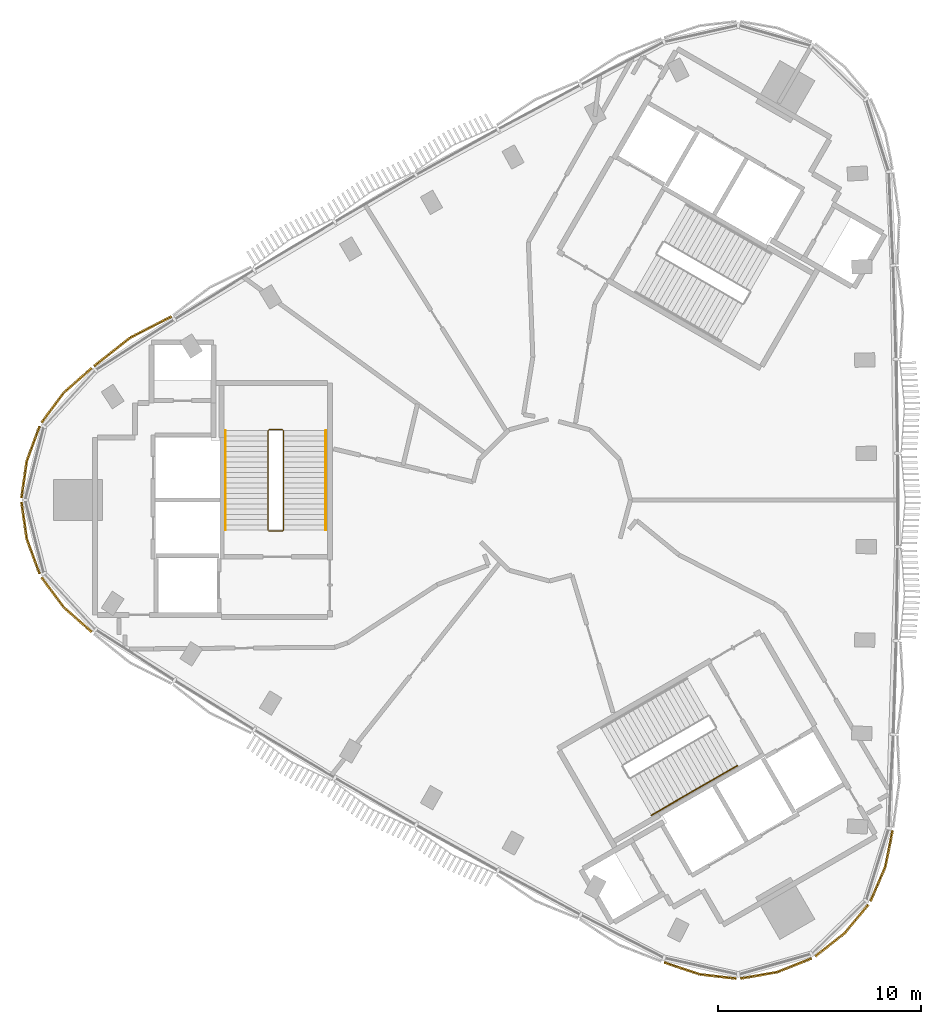
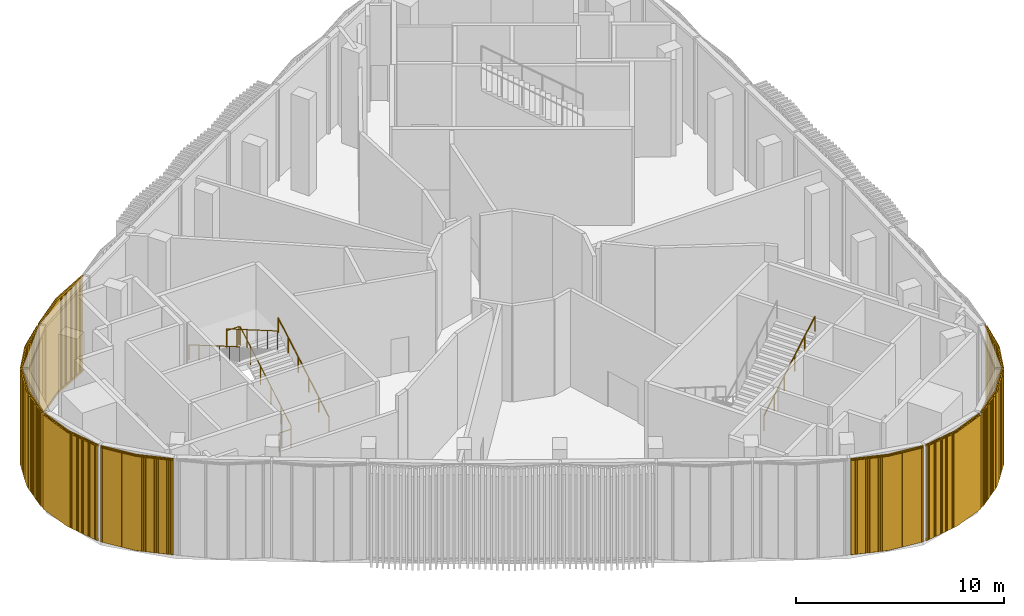
# One storey, part 8 of 11: 9 coverings, 4 railings.
"""IFC4 building model written with IfcOpenShell, lengths in metres."""

from ifc_helpers import new_model, si_unit, direction, frame, frame_2d, origin, origin_2d, place, context, subcontext, project, spatial, rectangle, circle, extrude, source, transform, mapped, material, type_object, element, save


model = new_model("IFC4")

# Units and contexts
model_context = context("Model", 3, precision=1e-05, world=origin(), true_north=direction((0.0, 1.0)))
body_context = subcontext(model_context, "Body", "Model", "MODEL_VIEW")
ifc_project = project(units=[si_unit("LENGTHUNIT", "METRE"), si_unit("AREAUNIT", "SQUARE_METRE"), si_unit("VOLUMEUNIT", "CUBIC_METRE"), si_unit("PLANEANGLEUNIT", "RADIAN"), si_unit("MASSUNIT", "GRAM", prefix="KILO")], contexts=[model_context])

# Site, building, storey
site_placement = place(None, origin())
site = spatial("IfcSite", under=ifc_project, at=site_placement, CompositionType="ELEMENT")
building_placement = place(site_placement, origin())
building = spatial("IfcBuilding", under=site, at=building_placement, Name="Tamra Quay Hotel Tower", CompositionType="ELEMENT")
storey_placement = place(building_placement, frame((0.0, 0.0, 306.60009765625)))
storey = spatial("IfcBuildingStorey", under=building, at=storey_placement, Name="L77", CompositionType="ELEMENT", Elevation=306.60009765625)

# Railings
ifc_material_1 = material(Name="Stair guard 1100")
railing_type_1 = type_object("IfcRailingType", Name="Stair guard 1100", PredefinedType="GUARDRAIL", material=ifc_material_1)
railing_1_placement = place(storey_placement, frame((-13.84130859375, -1.530029296875, 0.0)))
element("IfcRailing", 1, at=railing_1_placement, inside=storey, type_object=railing_type_1, Name="GR", PredefinedType="GUARDRAIL", context=body_context, shape_type="SweptSolid", body=[
    extrude(circle(Radius=0.02392578125, at=origin_2d()), frame((0.0, 0.0, 1.076171875), z_axis=(1.0, 0.0, 0.0), x_axis=(0.0, 1.0, 0.0)), (0.0, 0.0, 1.0), 0.658935546875),
    extrude(circle(Radius=0.02392578125, at=origin_2d()), frame((0.658935546875, 0.0, 1.076171875), z_axis=(0.301912943143, 0.301912943143, 0.904266083366), x_axis=(-0.707106781187, 0.707106781187, 0.0)), (0.0, 0.0, 1.0), 0.165771484375),
    extrude(circle(Radius=0.02392578125, at=origin_2d()), frame((0.708984375, 0.050048828125, 1.22607421875), z_axis=(0.0, 0.864493263396, 0.502644404666), x_axis=(-1.0, 0.0, 0.0)), (0.0, 0.0, 1.0), 5.670166015625),
    extrude(circle(Radius=0.02392578125, at=origin_2d()), frame((0.708984375, 4.951904296875, 4.076171875), z_axis=(-0.707106781187, 0.707106781187, 0.0), x_axis=(-0.707106781187, -0.707106781187, 0.0)), (0.0, 0.0, 1.0), 0.07080078125),
    extrude(circle(Radius=0.02392578125, at=origin_2d()), frame((0.658935546875, 5.001953125, 4.076171875), z_axis=(-1.0, 0.0, 0.0), x_axis=(0.0, -1.0, 0.0)), (0.0, 0.0, 1.0), 0.658935546875),
    extrude(circle(Radius=0.02392578125, at=origin_2d()), frame((0.0, 5.001953125, 4.076171875), z_axis=(-0.301912943143, -0.301912943143, 0.904266083366), x_axis=(0.707106781187, -0.707106781187, 0.0)), (0.0, 0.0, 1.0), 0.165771484375),
    extrude(circle(Radius=0.02392578125, at=origin_2d()), frame((-0.050048828125, 4.951904296875, 4.22607421875), z_axis=(0.0, -0.864493263396, 0.502644404666), x_axis=(1.0, 0.0, 0.0)), (0.0, 0.0, 1.0), 5.670166015625),
    extrude(circle(Radius=0.02099609375, at=origin_2d()), origin(), (0.0, 0.0, 1.0), 1.052001953125),
    extrude(circle(Radius=0.02099609375, at=origin_2d()), frame((0.658935546875, 0.0, 0.0)), (0.0, 0.0, 1.0), 1.052001953125),
    extrude(circle(Radius=0.02099609375, at=origin_2d()), frame((0.708984375, 0.050048828125, 0.14990234375)), (0.0, 0.0, 1.0), 1.052001953125),
    extrude(circle(Radius=0.02099609375, at=origin_2d()), frame((0.708984375, 1.030517578125, 0.719970703125)), (0.0, 0.0, 1.0), 1.052001953125),
    extrude(circle(Radius=0.02099609375, at=origin_2d()), frame((0.708984375, 2.0107421875, 1.2900390625)), (0.0, 0.0, 1.0), 1.052001953125),
    extrude(circle(Radius=0.02099609375, at=origin_2d()), frame((0.708984375, 2.9912109375, 1.85986328125)), (0.0, 0.0, 1.0), 1.052001953125),
    extrude(circle(Radius=0.02099609375, at=origin_2d()), frame((0.708984375, 3.971435546875, 2.429931640625)), (0.0, 0.0, 1.0), 1.052001953125),
    extrude(circle(Radius=0.02099609375, at=origin_2d()), frame((0.708984375, 4.951904296875, 3.0)), (0.0, 0.0, 1.0), 1.052001953125),
    extrude(circle(Radius=0.02099609375, at=origin_2d()), frame((0.658935546875, 5.001953125, 3.0)), (0.0, 0.0, 1.0), 1.052001953125),
    extrude(circle(Radius=0.02099609375, at=origin_2d()), frame((0.0, 5.001953125, 3.0)), (0.0, 0.0, 1.0), 1.052001953125),
    extrude(circle(Radius=0.02099609375, at=origin_2d()), frame((-0.050048828125, 4.951904296875, 3.14990234375)), (0.0, 0.0, 1.0), 1.052001953125),
    extrude(circle(Radius=0.02099609375, at=origin_2d()), frame((-0.050048828125, 3.971435546875, 3.719970703125)), (0.0, 0.0, 1.0), 1.052001953125),
    extrude(circle(Radius=0.02099609375, at=origin_2d()), frame((-0.050048828125, 2.9912109375, 4.2900390625)), (0.0, 0.0, 1.0), 1.052001953125),
    extrude(circle(Radius=0.02099609375, at=origin_2d()), frame((-0.050048828125, 2.0107421875, 4.85986328125)), (0.0, 0.0, 1.0), 1.052001953125),
    extrude(circle(Radius=0.02099609375, at=origin_2d()), frame((-0.050048828125, 1.030517578125, 5.429931640625)), (0.0, 0.0, 1.0), 1.052001953125),
    extrude(circle(Radius=0.02099609375, at=origin_2d()), frame((-0.050048828125, 0.050048828125, 6.0)), (0.0, 0.0, 1.0), 1.052001953125),
])
ifc_material_2 = material(Name="Stair handrail 900")
railing_type_2 = type_object("IfcRailingType", Name="Stair handrail 900", PredefinedType="HANDRAIL", material=ifc_material_2)
railing_2_placement = place(storey_placement, frame((-11.0322265625, -1.47998046875, 0.14990234375)))
element("IfcRailing", 2, at=railing_2_placement, inside=storey, type_object=railing_type_2, Name="HR", PredefinedType="HANDRAIL", context=body_context, shape_type="SweptSolid", body=[
    extrude(circle(Radius=0.02392578125, at=origin_2d()), frame((0.0, 0.0, 0.8759765625), z_axis=(0.0, 0.864493263396, 0.502644404666), x_axis=(-1.0, 0.0, 0.0)), (0.0, 0.0, 1.0), 5.670166015625),
    extrude(circle(Radius=0.02099609375, at=origin_2d()), origin(), (0.0, 0.0, 1.0), 0.851806640625),
    extrude(circle(Radius=0.02099609375, at=origin_2d()), frame((0.0, 0.98046875, 0.570068359375)), (0.0, 0.0, 1.0), 0.851806640625),
    extrude(circle(Radius=0.02099609375, at=origin_2d()), frame((0.0, 1.960693359375, 1.14013671875)), (0.0, 0.0, 1.0), 0.851806640625),
    extrude(circle(Radius=0.02099609375, at=origin_2d()), frame((0.0, 2.941162109375, 1.7099609375)), (0.0, 0.0, 1.0), 0.851806640625),
    extrude(circle(Radius=0.02099609375, at=origin_2d()), frame((0.0, 3.92138671875, 2.280029296875)), (0.0, 0.0, 1.0), 0.851806640625),
    extrude(circle(Radius=0.02099609375, at=origin_2d()), frame((0.0, 4.90185546875, 2.85009765625)), (0.0, 0.0, 1.0), 0.851806640625),
])
railing_3_placement = place(storey_placement, frame((-15.9912109375, 3.421875, 3.14990234375)))
element("IfcRailing", 3, at=railing_3_placement, inside=storey, type_object=railing_type_2, Name="HR", PredefinedType="HANDRAIL", context=body_context, shape_type="SweptSolid", body=[
    extrude(circle(Radius=0.02392578125, at=origin_2d()), frame((0.0, 0.0, 0.8759765625), z_axis=(0.0, -0.864493263396, 0.502644404666), x_axis=(1.0, 0.0, 0.0)), (0.0, 0.0, 1.0), 5.670166015625),
    extrude(circle(Radius=0.02099609375, at=origin_2d()), origin(), (0.0, 0.0, 1.0), 0.851806640625),
    extrude(circle(Radius=0.02099609375, at=origin_2d()), frame((0.0, -0.98046875, 0.570068359375)), (0.0, 0.0, 1.0), 0.851806640625),
    extrude(circle(Radius=0.02099609375, at=origin_2d()), frame((0.0, -1.960693359375, 1.14013671875)), (0.0, 0.0, 1.0), 0.851806640625),
    extrude(circle(Radius=0.02099609375, at=origin_2d()), frame((0.0, -2.941162109375, 1.7099609375)), (0.0, 0.0, 1.0), 0.851806640625),
    extrude(circle(Radius=0.02099609375, at=origin_2d()), frame((0.0, -3.92138671875, 2.280029296875)), (0.0, 0.0, 1.0), 0.851806640625),
    extrude(circle(Radius=0.02099609375, at=origin_2d()), frame((0.0, -4.90185546875, 2.85009765625)), (0.0, 0.0, 1.0), 0.851806640625),
])
railing_4_placement = place(storey_placement, frame((5.0322265625, -15.559814453125, 3.14990234375)))
element("IfcRailing", 4, at=railing_4_placement, inside=storey, type_object=railing_type_2, Name="HR", PredefinedType="HANDRAIL", context=body_context, shape_type="SweptSolid", body=[
    extrude(circle(Radius=0.02392578125, at=origin_2d()), frame((0.0, 0.0, 0.8759765625), z_axis=(0.748672028886, 0.432247440648, 0.502645345365), x_axis=(-0.500001252094, 0.866024680886, 0.0)), (0.0, 0.0, 1.0), 5.670166015625),
    extrude(circle(Radius=0.02099609375, at=origin_2d()), origin(), (0.0, 0.0, 1.0), 0.851806640625),
    extrude(circle(Radius=0.02099609375, at=origin_2d()), frame((0.84912109375, 0.490234375, 0.570068359375)), (0.0, 0.0, 1.0), 0.851806640625),
    extrude(circle(Radius=0.02099609375, at=origin_2d()), frame((1.697998046875, 0.98046875, 1.14013671875)), (0.0, 0.0, 1.0), 0.851806640625),
    extrude(circle(Radius=0.02099609375, at=origin_2d()), frame((2.547119140625, 1.470458984375, 1.7099609375)), (0.0, 0.0, 1.0), 0.851806640625),
    extrude(circle(Radius=0.02099609375, at=origin_2d()), frame((3.39599609375, 1.960693359375, 2.280029296875)), (0.0, 0.0, 1.0), 0.851806640625),
    extrude(circle(Radius=0.02099609375, at=origin_2d()), frame((4.2451171875, 2.450927734375, 2.85009765625)), (0.0, 0.0, 1.0), 0.851806640625),
])

# Coverings
ifc_material_3 = material(Name="Terracotta baguette extruded", Category="masonry")
covering_type_1 = type_object("IfcCoveringType", Name="BAGUETTE SCREEN CORNER-SHALLOW H5650", PredefinedType="USERDEFINED", material=ifc_material_3)
shared_shape_1 = source(origin(), body_context, "Body", "SweptSolid", [
    extrude(rectangle(XDim=1.842529296875, YDim=0.06005859375, at=frame_2d((0.92138671875, 0.030029296875))), frame((-1.8388671875, -0.0576171875, -0.1201171875), z_axis=(0.0, 0.0, 1.0), x_axis=(0.994521895368, -0.104528463268, 0.0)), (0.0, 0.0, 1.0), 0.1201171875),
    extrude(rectangle(XDim=1.842529296875, YDim=0.06005859375, at=frame_2d((0.92138671875, 0.030029296875))), frame((-1.8388671875, -0.0576171875, -5.64990234375), z_axis=(0.0, 0.0, 1.0), x_axis=(0.994521895368, -0.104528463268, 0.0)), (0.0, 0.0, 1.0), 0.1201171875),
    extrude(rectangle(XDim=0.094970703125, YDim=0.10009765625, at=frame_2d((0.04736328125, 0.050048828125))), frame((-1.8291015625, -0.13330078125, -5.590087890625)), (0.0, 0.0, 1.0), 5.530029296875),
    extrude(rectangle(XDim=0.094970703125, YDim=0.10009765625, at=frame_2d((0.04736328125, 0.050048828125))), frame((-1.727294921875, -0.14404296875, -5.590087890625)), (0.0, 0.0, 1.0), 5.530029296875),
    extrude(rectangle(XDim=0.094970703125, YDim=0.10009765625, at=frame_2d((0.04736328125, 0.050048828125))), frame((-1.62548828125, -0.15478515625, -5.590087890625)), (0.0, 0.0, 1.0), 5.530029296875),
    extrude(rectangle(XDim=0.094970703125, YDim=0.10009765625, at=frame_2d((0.04736328125, 0.050048828125))), frame((-1.523681640625, -0.16552734375, -5.590087890625)), (0.0, 0.0, 1.0), 5.530029296875),
    extrude(rectangle(XDim=0.094970703125, YDim=0.10009765625, at=frame_2d((0.04736328125, 0.050048828125))), frame((-1.421875, -0.17626953125, -5.590087890625)), (0.0, 0.0, 1.0), 5.530029296875),
    extrude(rectangle(XDim=0.094970703125, YDim=0.10009765625, at=frame_2d((0.04736328125, 0.050048828125))), frame((-1.320068359375, -0.186767578125, -5.590087890625)), (0.0, 0.0, 1.0), 5.530029296875),
    extrude(rectangle(XDim=0.094970703125, YDim=0.10009765625, at=frame_2d((0.04736328125, 0.050048828125))), frame((-1.21826171875, -0.197509765625, -5.590087890625)), (0.0, 0.0, 1.0), 5.530029296875),
    extrude(rectangle(XDim=0.094970703125, YDim=0.10009765625, at=frame_2d((0.04736328125, 0.050048828125))), frame((-1.116455078125, -0.208251953125, -5.590087890625)), (0.0, 0.0, 1.0), 5.530029296875),
    extrude(rectangle(XDim=0.094970703125, YDim=0.10009765625, at=frame_2d((0.04736328125, 0.050048828125))), frame((-1.0146484375, -0.218994140625, -5.590087890625)), (0.0, 0.0, 1.0), 5.530029296875),
    extrude(rectangle(XDim=0.094970703125, YDim=0.10009765625, at=frame_2d((0.04736328125, 0.050048828125))), frame((-0.912841796875, -0.229736328125, -5.590087890625)), (0.0, 0.0, 1.0), 5.530029296875),
    extrude(rectangle(XDim=0.094970703125, YDim=0.10009765625, at=frame_2d((0.04736328125, 0.050048828125))), frame((-0.81103515625, -0.240234375, -5.590087890625)), (0.0, 0.0, 1.0), 5.530029296875),
    extrude(rectangle(XDim=0.094970703125, YDim=0.10009765625, at=frame_2d((0.04736328125, 0.050048828125))), frame((-0.709228515625, -0.2509765625, -5.590087890625)), (0.0, 0.0, 1.0), 5.530029296875),
    extrude(rectangle(XDim=0.094970703125, YDim=0.10009765625, at=frame_2d((0.04736328125, 0.050048828125))), frame((-0.607421875, -0.26171875, -5.590087890625)), (0.0, 0.0, 1.0), 5.530029296875),
    extrude(rectangle(XDim=0.094970703125, YDim=0.10009765625, at=frame_2d((0.04736328125, 0.050048828125))), frame((-0.505615234375, -0.2724609375, -5.590087890625)), (0.0, 0.0, 1.0), 5.530029296875),
    extrude(rectangle(XDim=0.094970703125, YDim=0.10009765625, at=frame_2d((0.04736328125, 0.050048828125))), frame((-0.40380859375, -0.283203125, -5.590087890625)), (0.0, 0.0, 1.0), 5.530029296875),
    extrude(rectangle(XDim=0.094970703125, YDim=0.10009765625, at=frame_2d((0.04736328125, 0.050048828125))), frame((-0.302001953125, -0.2939453125, -5.590087890625)), (0.0, 0.0, 1.0), 5.530029296875),
    extrude(rectangle(XDim=0.094970703125, YDim=0.10009765625, at=frame_2d((0.04736328125, 0.050048828125))), frame((-0.2001953125, -0.304443359375, -5.590087890625)), (0.0, 0.0, 1.0), 5.530029296875),
    extrude(rectangle(XDim=0.094970703125, YDim=0.10009765625, at=frame_2d((0.04736328125, 0.050048828125))), frame((-0.098388671875, -0.315185546875, -5.590087890625)), (0.0, 0.0, 1.0), 5.530029296875),
    extrude(rectangle(XDim=1.842529296875, YDim=0.06005859375, at=frame_2d((0.92138671875, 0.030029296875))), frame((0.00634765625, -0.250244140625, -0.1201171875), z_axis=(0.0, 0.0, 1.0), x_axis=(0.994521895368, 0.104528463268, 0.0)), (0.0, 0.0, 1.0), 0.1201171875),
    extrude(rectangle(XDim=1.842529296875, YDim=0.06005859375, at=frame_2d((0.92138671875, 0.030029296875))), frame((0.00634765625, -0.250244140625, -5.64990234375), z_axis=(0.0, 0.0, 1.0), x_axis=(0.994521895368, 0.104528463268, 0.0)), (0.0, 0.0, 1.0), 0.1201171875),
    extrude(rectangle(XDim=0.094970703125, YDim=0.10009765625, at=frame_2d((0.04736328125, 0.050048828125))), frame((0.00341796875, -0.315185546875, -5.590087890625)), (0.0, 0.0, 1.0), 5.530029296875),
    extrude(rectangle(XDim=0.094970703125, YDim=0.10009765625, at=frame_2d((0.04736328125, 0.050048828125))), frame((0.105224609375, -0.304443359375, -5.590087890625)), (0.0, 0.0, 1.0), 5.530029296875),
    extrude(rectangle(XDim=0.094970703125, YDim=0.10009765625, at=frame_2d((0.04736328125, 0.050048828125))), frame((0.20703125, -0.2939453125, -5.590087890625)), (0.0, 0.0, 1.0), 5.530029296875),
    extrude(rectangle(XDim=0.094970703125, YDim=0.10009765625, at=frame_2d((0.04736328125, 0.050048828125))), frame((0.308837890625, -0.283203125, -5.590087890625)), (0.0, 0.0, 1.0), 5.530029296875),
    extrude(rectangle(XDim=0.094970703125, YDim=0.10009765625, at=frame_2d((0.04736328125, 0.050048828125))), frame((0.41064453125, -0.2724609375, -5.590087890625)), (0.0, 0.0, 1.0), 5.530029296875),
    extrude(rectangle(XDim=0.094970703125, YDim=0.10009765625, at=frame_2d((0.04736328125, 0.050048828125))), frame((0.512451171875, -0.26171875, -5.590087890625)), (0.0, 0.0, 1.0), 5.530029296875),
    extrude(rectangle(XDim=0.094970703125, YDim=0.10009765625, at=frame_2d((0.04736328125, 0.050048828125))), frame((0.6142578125, -0.2509765625, -5.590087890625)), (0.0, 0.0, 1.0), 5.530029296875),
    extrude(rectangle(XDim=0.094970703125, YDim=0.10009765625, at=frame_2d((0.04736328125, 0.050048828125))), frame((0.716064453125, -0.240234375, -5.590087890625)), (0.0, 0.0, 1.0), 5.530029296875),
    extrude(rectangle(XDim=0.094970703125, YDim=0.10009765625, at=frame_2d((0.04736328125, 0.050048828125))), frame((0.81787109375, -0.229736328125, -5.590087890625)), (0.0, 0.0, 1.0), 5.530029296875),
    extrude(rectangle(XDim=0.094970703125, YDim=0.10009765625, at=frame_2d((0.04736328125, 0.050048828125))), frame((0.919677734375, -0.218994140625, -5.590087890625)), (0.0, 0.0, 1.0), 5.530029296875),
    extrude(rectangle(XDim=0.094970703125, YDim=0.10009765625, at=frame_2d((0.04736328125, 0.050048828125))), frame((1.021484375, -0.208251953125, -5.590087890625)), (0.0, 0.0, 1.0), 5.530029296875),
    extrude(rectangle(XDim=0.094970703125, YDim=0.10009765625, at=frame_2d((0.04736328125, 0.050048828125))), frame((1.123291015625, -0.197509765625, -5.590087890625)), (0.0, 0.0, 1.0), 5.530029296875),
    extrude(rectangle(XDim=0.094970703125, YDim=0.10009765625, at=frame_2d((0.04736328125, 0.050048828125))), frame((1.22509765625, -0.186767578125, -5.590087890625)), (0.0, 0.0, 1.0), 5.530029296875),
    extrude(rectangle(XDim=0.094970703125, YDim=0.10009765625, at=frame_2d((0.04736328125, 0.050048828125))), frame((1.326904296875, -0.17626953125, -5.590087890625)), (0.0, 0.0, 1.0), 5.530029296875),
    extrude(rectangle(XDim=0.094970703125, YDim=0.10009765625, at=frame_2d((0.04736328125, 0.050048828125))), frame((1.4287109375, -0.16552734375, -5.590087890625)), (0.0, 0.0, 1.0), 5.530029296875),
    extrude(rectangle(XDim=0.094970703125, YDim=0.10009765625, at=frame_2d((0.04736328125, 0.050048828125))), frame((1.530517578125, -0.15478515625, -5.590087890625)), (0.0, 0.0, 1.0), 5.530029296875),
    extrude(rectangle(XDim=0.094970703125, YDim=0.10009765625, at=frame_2d((0.04736328125, 0.050048828125))), frame((1.63232421875, -0.14404296875, -5.590087890625)), (0.0, 0.0, 1.0), 5.530029296875),
    extrude(rectangle(XDim=0.094970703125, YDim=0.10009765625, at=frame_2d((0.04736328125, 0.050048828125))), frame((1.734130859375, -0.13330078125, -5.590087890625)), (0.0, 0.0, 1.0), 5.530029296875),
])
for number, where, z_axis, x_axis, name in (
    (5, (-23.78759765625, 5.12353515625, 5.64990234375), (0.0, 0.0, 1.0), (-0.67737593284, -0.735637033875, 0.0), "Baguette screen L77.NW.c07"),
    (6, (-25.5556640625, 1.857177734375, 5.64990234375), (0.0, 0.0, 1.0), (-0.245526933255, -0.969389769415, 0.0), "Baguette screen L77.NW.c08"),
    (7, (-25.5556640625, -1.857177734375, 5.64990234375), (0.0, 0.0, 1.0), (0.245526933255, -0.969389769415, 0.0), "Baguette screen L77.NW.c09"),
    (8, (-23.78759765625, -5.12353515625, 5.64990234375), (0.0, 0.0, 1.0), (0.67737593284, -0.735637033875, 0.0), "Baguette screen L77.NW.c10"),
    (9, (7.456787109375, -23.162353515625, 5.64990234375), (0.0, 0.0, 1.0), (0.975768325721, -0.218806248814, 0.0), "Baguette screen L77.SW.c07"),
    (10, (11.16943359375, -23.060546875, 5.64990234375), (0.0, 0.0, 1.0), (0.96227963311, 0.272062323195, 0.0), "Baguette screen L77.SW.c08"),
    (11, (14.38623046875, -21.203369140625, 5.64990234375), (0.0, 0.0, 1.0), (0.716752699854, 0.69732744622, 0.0), "Baguette screen L77.SW.c09"),
    (12, (16.3310546875, -18.038818359375, 5.64990234375), (0.0, 0.0, 1.0), (0.29839239288, 0.954443282689, 0.0), "Baguette screen L77.SW.c10"),
):
    element("IfcCovering", number, at=place(storey_placement, frame(where, z_axis=z_axis, x_axis=x_axis)), inside=storey, type_object=covering_type_1, Name=name, ObjectType="BAGUETTE SCREEN", PredefinedType="USERDEFINED", context=body_context, shape_type="MappedRepresentation", body=[
        mapped(shared_shape_1, transform((0.0, 0.0, 0.0), scale=1.0)),
    ])
covering_type_2 = type_object("IfcCoveringType", Name="BAGUETTE SCREEN NW-SHALLOW H5650", PredefinedType="USERDEFINED", material=ifc_material_3)
shared_shape_2 = source(origin(), body_context, "Body", "SweptSolid", [
    extrude(rectangle(XDim=2.282958984375, YDim=0.06005859375, at=frame_2d((1.1416015625, 0.030029296875))), frame((-2.2783203125, -0.0576171875, -0.1201171875), z_axis=(0.0, 0.0, 1.0), x_axis=(0.995396198367, -0.09584575252, 0.0)), (0.0, 0.0, 1.0), 0.1201171875),
    extrude(rectangle(XDim=2.282958984375, YDim=0.06005859375, at=frame_2d((1.1416015625, 0.030029296875))), frame((-2.2783203125, -0.0576171875, -5.64990234375), z_axis=(0.0, 0.0, 1.0), x_axis=(0.995396198367, -0.09584575252, 0.0)), (0.0, 0.0, 1.0), 0.1201171875),
    extrude(rectangle(XDim=0.094970703125, YDim=0.10009765625, at=frame_2d((0.04736328125, 0.050048828125))), frame((-2.2705078125, -0.1328125, -5.590087890625)), (0.0, 0.0, 1.0), 5.530029296875),
    extrude(rectangle(XDim=0.094970703125, YDim=0.10009765625, at=frame_2d((0.04736328125, 0.050048828125))), frame((-2.171875, -0.142333984375, -5.590087890625)), (0.0, 0.0, 1.0), 5.530029296875),
    extrude(rectangle(XDim=0.094970703125, YDim=0.10009765625, at=frame_2d((0.04736328125, 0.050048828125))), frame((-2.072998046875, -0.15185546875, -5.590087890625)), (0.0, 0.0, 1.0), 5.530029296875),
    extrude(rectangle(XDim=0.094970703125, YDim=0.10009765625, at=frame_2d((0.04736328125, 0.050048828125))), frame((-1.97412109375, -0.161376953125, -5.590087890625)), (0.0, 0.0, 1.0), 5.530029296875),
    extrude(rectangle(XDim=0.094970703125, YDim=0.10009765625, at=frame_2d((0.04736328125, 0.050048828125))), frame((-1.87548828125, -0.1708984375, -5.590087890625)), (0.0, 0.0, 1.0), 5.530029296875),
    extrude(rectangle(XDim=0.094970703125, YDim=0.10009765625, at=frame_2d((0.04736328125, 0.050048828125))), frame((-1.776611328125, -0.180419921875, -5.590087890625)), (0.0, 0.0, 1.0), 5.530029296875),
    extrude(rectangle(XDim=0.094970703125, YDim=0.10009765625, at=frame_2d((0.04736328125, 0.050048828125))), frame((-1.677734375, -0.18994140625, -5.590087890625)), (0.0, 0.0, 1.0), 5.530029296875),
    extrude(rectangle(XDim=0.094970703125, YDim=0.10009765625, at=frame_2d((0.04736328125, 0.050048828125))), frame((-1.578857421875, -0.199462890625, -5.590087890625)), (0.0, 0.0, 1.0), 5.530029296875),
    extrude(rectangle(XDim=0.094970703125, YDim=0.10009765625, at=frame_2d((0.04736328125, 0.050048828125))), frame((-1.480224609375, -0.208984375, -5.590087890625)), (0.0, 0.0, 1.0), 5.530029296875),
    extrude(rectangle(XDim=0.094970703125, YDim=0.10009765625, at=frame_2d((0.04736328125, 0.050048828125))), frame((-1.38134765625, -0.21826171875, -5.590087890625)), (0.0, 0.0, 1.0), 5.530029296875),
    extrude(rectangle(XDim=0.094970703125, YDim=0.10009765625, at=frame_2d((0.04736328125, 0.050048828125))), frame((-1.282470703125, -0.227783203125, -5.590087890625)), (0.0, 0.0, 1.0), 5.530029296875),
    extrude(rectangle(XDim=0.094970703125, YDim=0.10009765625, at=frame_2d((0.04736328125, 0.050048828125))), frame((-1.183837890625, -0.2373046875, -5.590087890625)), (0.0, 0.0, 1.0), 5.530029296875),
    extrude(rectangle(XDim=0.094970703125, YDim=0.10009765625, at=frame_2d((0.04736328125, 0.050048828125))), frame((-1.0849609375, -0.246826171875, -5.590087890625)), (0.0, 0.0, 1.0), 5.530029296875),
    extrude(rectangle(XDim=0.094970703125, YDim=0.10009765625, at=frame_2d((0.04736328125, 0.050048828125))), frame((-0.986083984375, -0.25634765625, -5.590087890625)), (0.0, 0.0, 1.0), 5.530029296875),
    extrude(rectangle(XDim=0.094970703125, YDim=0.10009765625, at=frame_2d((0.04736328125, 0.050048828125))), frame((-0.887451171875, -0.265869140625, -5.590087890625)), (0.0, 0.0, 1.0), 5.530029296875),
    extrude(rectangle(XDim=0.094970703125, YDim=0.10009765625, at=frame_2d((0.04736328125, 0.050048828125))), frame((-0.78857421875, -0.275390625, -5.590087890625)), (0.0, 0.0, 1.0), 5.530029296875),
    extrude(rectangle(XDim=0.094970703125, YDim=0.10009765625, at=frame_2d((0.04736328125, 0.050048828125))), frame((-0.689697265625, -0.284912109375, -5.590087890625)), (0.0, 0.0, 1.0), 5.530029296875),
    extrude(rectangle(XDim=0.094970703125, YDim=0.10009765625, at=frame_2d((0.04736328125, 0.050048828125))), frame((-0.5908203125, -0.29443359375, -5.590087890625)), (0.0, 0.0, 1.0), 5.530029296875),
    extrude(rectangle(XDim=0.094970703125, YDim=0.10009765625, at=frame_2d((0.04736328125, 0.050048828125))), frame((-0.4921875, -0.303955078125, -5.590087890625)), (0.0, 0.0, 1.0), 5.530029296875),
    extrude(rectangle(XDim=0.094970703125, YDim=0.10009765625, at=frame_2d((0.04736328125, 0.050048828125))), frame((-0.393310546875, -0.3134765625, -5.590087890625)), (0.0, 0.0, 1.0), 5.530029296875),
    extrude(rectangle(XDim=0.094970703125, YDim=0.10009765625, at=frame_2d((0.04736328125, 0.050048828125))), frame((-0.29443359375, -0.322998046875, -5.590087890625)), (0.0, 0.0, 1.0), 5.530029296875),
    extrude(rectangle(XDim=0.094970703125, YDim=0.10009765625, at=frame_2d((0.04736328125, 0.050048828125))), frame((-0.19580078125, -0.33251953125, -5.590087890625)), (0.0, 0.0, 1.0), 5.530029296875),
    extrude(rectangle(XDim=0.094970703125, YDim=0.10009765625, at=frame_2d((0.04736328125, 0.050048828125))), frame((-0.096923828125, -0.342041015625, -5.590087890625)), (0.0, 0.0, 1.0), 5.530029296875),
    extrude(rectangle(XDim=2.282958984375, YDim=0.06005859375, at=frame_2d((1.1416015625, 0.030029296875))), frame((0.005859375, -0.276611328125, -0.1201171875), z_axis=(0.0, 0.0, 1.0), x_axis=(0.995396198367, 0.09584575252, 0.0)), (0.0, 0.0, 1.0), 0.1201171875),
    extrude(rectangle(XDim=2.282958984375, YDim=0.06005859375, at=frame_2d((1.1416015625, 0.030029296875))), frame((0.005859375, -0.276611328125, -5.64990234375), z_axis=(0.0, 0.0, 1.0), x_axis=(0.995396198367, 0.09584575252, 0.0)), (0.0, 0.0, 1.0), 0.1201171875),
    extrude(rectangle(XDim=0.094970703125, YDim=0.10009765625, at=frame_2d((0.04736328125, 0.050048828125))), frame((0.001953125, -0.342041015625, -5.590087890625)), (0.0, 0.0, 1.0), 5.530029296875),
    extrude(rectangle(XDim=0.094970703125, YDim=0.10009765625, at=frame_2d((0.04736328125, 0.050048828125))), frame((0.100830078125, -0.33251953125, -5.590087890625)), (0.0, 0.0, 1.0), 5.530029296875),
    extrude(rectangle(XDim=0.094970703125, YDim=0.10009765625, at=frame_2d((0.04736328125, 0.050048828125))), frame((0.199462890625, -0.322998046875, -5.590087890625)), (0.0, 0.0, 1.0), 5.530029296875),
    extrude(rectangle(XDim=0.094970703125, YDim=0.10009765625, at=frame_2d((0.04736328125, 0.050048828125))), frame((0.29833984375, -0.3134765625, -5.590087890625)), (0.0, 0.0, 1.0), 5.530029296875),
    extrude(rectangle(XDim=0.094970703125, YDim=0.10009765625, at=frame_2d((0.04736328125, 0.050048828125))), frame((0.397216796875, -0.303955078125, -5.590087890625)), (0.0, 0.0, 1.0), 5.530029296875),
    extrude(rectangle(XDim=0.094970703125, YDim=0.10009765625, at=frame_2d((0.04736328125, 0.050048828125))), frame((0.495849609375, -0.29443359375, -5.590087890625)), (0.0, 0.0, 1.0), 5.530029296875),
    extrude(rectangle(XDim=0.094970703125, YDim=0.10009765625, at=frame_2d((0.04736328125, 0.050048828125))), frame((0.5947265625, -0.284912109375, -5.590087890625)), (0.0, 0.0, 1.0), 5.530029296875),
    extrude(rectangle(XDim=0.094970703125, YDim=0.10009765625, at=frame_2d((0.04736328125, 0.050048828125))), frame((0.693603515625, -0.275390625, -5.590087890625)), (0.0, 0.0, 1.0), 5.530029296875),
    extrude(rectangle(XDim=0.094970703125, YDim=0.10009765625, at=frame_2d((0.04736328125, 0.050048828125))), frame((0.792236328125, -0.265869140625, -5.590087890625)), (0.0, 0.0, 1.0), 5.530029296875),
    extrude(rectangle(XDim=0.094970703125, YDim=0.10009765625, at=frame_2d((0.04736328125, 0.050048828125))), frame((0.89111328125, -0.25634765625, -5.590087890625)), (0.0, 0.0, 1.0), 5.530029296875),
    extrude(rectangle(XDim=0.094970703125, YDim=0.10009765625, at=frame_2d((0.04736328125, 0.050048828125))), frame((0.989990234375, -0.246826171875, -5.590087890625)), (0.0, 0.0, 1.0), 5.530029296875),
    extrude(rectangle(XDim=0.094970703125, YDim=0.10009765625, at=frame_2d((0.04736328125, 0.050048828125))), frame((1.0888671875, -0.2373046875, -5.590087890625)), (0.0, 0.0, 1.0), 5.530029296875),
    extrude(rectangle(XDim=0.094970703125, YDim=0.10009765625, at=frame_2d((0.04736328125, 0.050048828125))), frame((1.1875, -0.227783203125, -5.590087890625)), (0.0, 0.0, 1.0), 5.530029296875),
    extrude(rectangle(XDim=0.094970703125, YDim=0.10009765625, at=frame_2d((0.04736328125, 0.050048828125))), frame((1.286376953125, -0.21826171875, -5.590087890625)), (0.0, 0.0, 1.0), 5.530029296875),
    extrude(rectangle(XDim=0.094970703125, YDim=0.10009765625, at=frame_2d((0.04736328125, 0.050048828125))), frame((1.38525390625, -0.208984375, -5.590087890625)), (0.0, 0.0, 1.0), 5.530029296875),
    extrude(rectangle(XDim=0.094970703125, YDim=0.10009765625, at=frame_2d((0.04736328125, 0.050048828125))), frame((1.48388671875, -0.199462890625, -5.590087890625)), (0.0, 0.0, 1.0), 5.530029296875),
    extrude(rectangle(XDim=0.094970703125, YDim=0.10009765625, at=frame_2d((0.04736328125, 0.050048828125))), frame((1.582763671875, -0.18994140625, -5.590087890625)), (0.0, 0.0, 1.0), 5.530029296875),
    extrude(rectangle(XDim=0.094970703125, YDim=0.10009765625, at=frame_2d((0.04736328125, 0.050048828125))), frame((1.681640625, -0.180419921875, -5.590087890625)), (0.0, 0.0, 1.0), 5.530029296875),
    extrude(rectangle(XDim=0.094970703125, YDim=0.10009765625, at=frame_2d((0.04736328125, 0.050048828125))), frame((1.7802734375, -0.1708984375, -5.590087890625)), (0.0, 0.0, 1.0), 5.530029296875),
    extrude(rectangle(XDim=0.094970703125, YDim=0.10009765625, at=frame_2d((0.04736328125, 0.050048828125))), frame((1.879150390625, -0.161376953125, -5.590087890625)), (0.0, 0.0, 1.0), 5.530029296875),
    extrude(rectangle(XDim=0.094970703125, YDim=0.10009765625, at=frame_2d((0.04736328125, 0.050048828125))), frame((1.97802734375, -0.15185546875, -5.590087890625)), (0.0, 0.0, 1.0), 5.530029296875),
    extrude(rectangle(XDim=0.094970703125, YDim=0.10009765625, at=frame_2d((0.04736328125, 0.050048828125))), frame((2.076904296875, -0.142333984375, -5.590087890625)), (0.0, 0.0, 1.0), 5.530029296875),
    extrude(rectangle(XDim=0.094970703125, YDim=0.10009765625, at=frame_2d((0.04736328125, 0.050048828125))), frame((2.175537109375, -0.1328125, -5.590087890625)), (0.0, 0.0, 1.0), 5.530029296875),
])
covering_placement = place(storey_placement, frame((-20.537109375, 7.7802734375, 5.64990234375), z_axis=(0.0, 0.0, 1.0), x_axis=(-0.841664982432, -0.5400000531, 0.0)))
element("IfcCovering", 13, at=covering_placement, inside=storey, type_object=covering_type_2, Name="Baguette screen L77.NW.f06", ObjectType="BAGUETTE SCREEN", PredefinedType="USERDEFINED", context=body_context, shape_type="MappedRepresentation", body=[
    mapped(shared_shape_2, transform((0.0, 0.0, 0.0), scale=1.0)),
])

save(model, "model.ifc")
